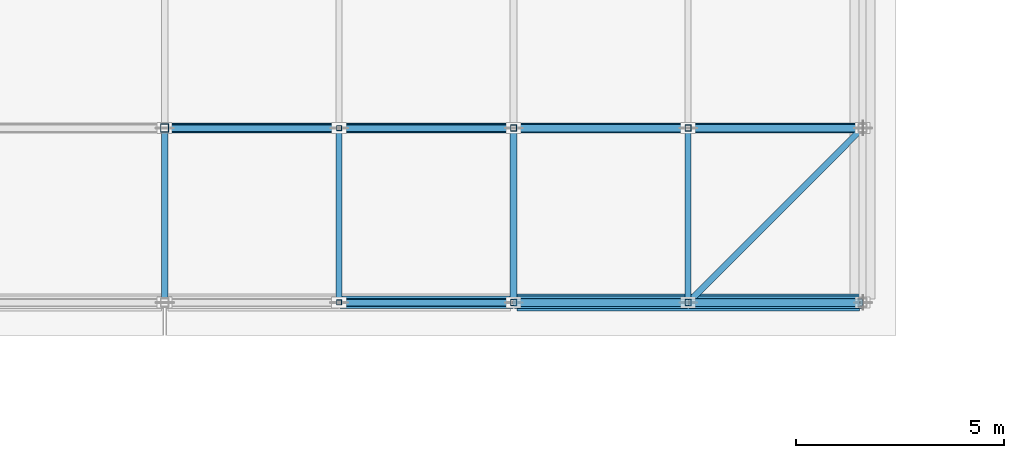
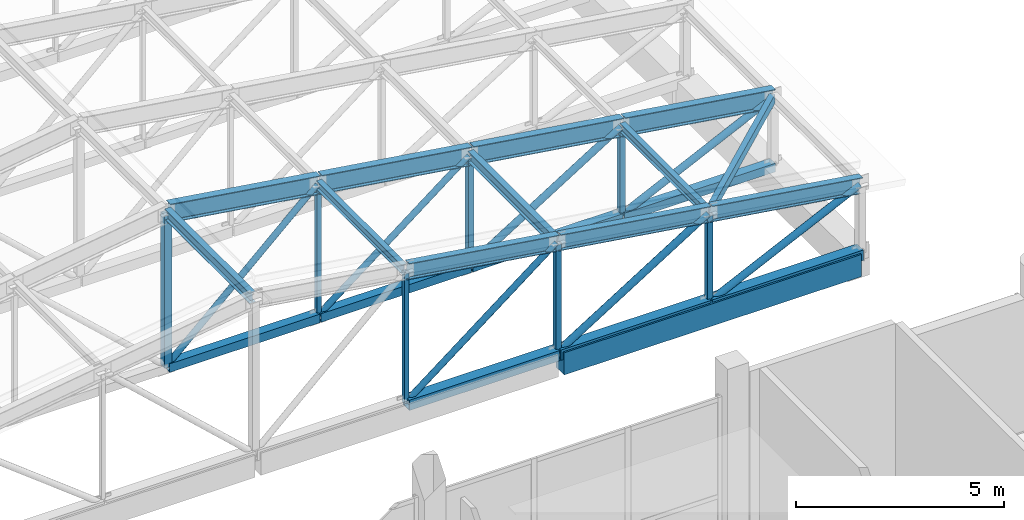
# One storey, part 27 of 122: 33 members, 1 beam.
"""IFC4 building model written with IfcOpenShell, lengths in metres."""

from ifc_helpers import new_model, si_unit, direction, frame, origin, origin_2d, place, context, subcontext, project, spatial, rectangle, hollow_rectangle, hollow_circle, i_section, extrude, material, material_profile, profile_set, type_object, element, save


model = new_model("IFC4")

# Units and contexts
model_context = context("Model", 3, precision=1e-05, world=origin(), true_north=direction((0.0, 1.0)))
body_context = subcontext(model_context, "Body", "Model", "MODEL_VIEW")
ifc_project = project(units=[si_unit("LENGTHUNIT", "METRE"), si_unit("AREAUNIT", "SQUARE_METRE"), si_unit("VOLUMEUNIT", "CUBIC_METRE"), si_unit("PLANEANGLEUNIT", "RADIAN"), si_unit("MASSUNIT", "GRAM", prefix="KILO")], contexts=[model_context])

# Site, building, storey
site_placement = place(None, origin())
site = spatial("IfcSite", under=ifc_project, at=site_placement, CompositionType="ELEMENT")
building_placement = place(site_placement, origin())
building = spatial("IfcBuilding", under=site, at=building_placement, Name="Telukmera Botanical Conservatory", CompositionType="ELEMENT")
storey_placement = place(building_placement, frame((0.0, 0.0, 10.199951171875)))
storey = spatial("IfcBuildingStorey", under=building, at=storey_placement, Name="L02", CompositionType="ELEMENT", Elevation=10.199951171875)

# Beam
ifc_material_1 = material(Name="Concrete C40/50", Category="concrete")
ifc_material_profile_1 = material_profile(ifc_material_1, rectangle(XDim=0.39990234375, YDim=0.64990234375, at=origin_2d()), Name="RC 400x650")
ifc_profile_set_1 = profile_set([ifc_material_profile_1], Name="Concrete C40/50")
beam_type = type_object("IfcBeamType", Name="Beam_B8", PredefinedType="BEAM", material=ifc_profile_set_1)
beam_placement = place(storey_placement, frame((33.679931640625, 83.199951171875, -0.324951171875), z_axis=(1.0, 0.0, 0.0), x_axis=(0.0, 1.0, 0.0)))
element("IfcBeam", 1, at=beam_placement, inside=storey, type_object=beam_type, Name="Auditorium Frame Beam beam:V2:L02:port_x:832:336", PredefinedType="BEAM", context=body_context, shape_type="SweptSolid", body=[
    extrude(rectangle(XDim=0.39990234375, YDim=0.64990234375, at=origin_2d()), origin(), (0.0, 0.0, 1.0), 8.239990234375),
])

# Members
ifc_material_2 = material(Name="Steel S355", Category="steel")
ifc_material_profile_2 = material_profile(ifc_material_2, i_section(OverallWidth=0.210693359375, OverallDepth=0.53955078125, WebThickness=0.01171875, FlangeThickness=0.018798828125, FilletRadius=0.0126953125, at=origin_2d()), Name="UB 533x210x109")
ifc_profile_set_2 = profile_set([ifc_material_profile_2], Name="Steel S355")
member_type_1 = type_object("IfcMemberType", Name="Mem_TC1", PredefinedType="CHORD", material=ifc_profile_set_2)
member_1_placement = place(storey_placement, frame((25.2197265625, 87.39990234375, 4.427734375), z_axis=(0.989022603236, 0.0, -0.147764306545), x_axis=(0.0, 1.0, 0.0)))
element("IfcMember", 2, at=member_1_placement, inside=storey, type_object=member_type_1, Name="Auditorium Pratt Truss Top Chord T2-5", PredefinedType="CHORD", context=body_context, shape_type="SweptSolid", body=[
    extrude(i_section(OverallWidth=0.210693359375, OverallDepth=0.53955078125, WebThickness=0.01171875, FlangeThickness=0.018798828125, FilletRadius=0.0126953125, at=origin_2d()), origin(), (0.0, 0.0, 1.0), 4.20654296875),
])
member_2_placement = place(storey_placement, frame((29.419921875, 87.39990234375, 3.800048828125), z_axis=(0.989021335912, 0.0, -0.147772788805), x_axis=(0.0, 1.0, 0.0)))
element("IfcMember", 3, at=member_2_placement, inside=storey, type_object=member_type_1, Name="Auditorium Pratt Truss Top Chord T2-6", PredefinedType="CHORD", context=body_context, shape_type="SweptSolid", body=[
    extrude(i_section(OverallWidth=0.210693359375, OverallDepth=0.53955078125, WebThickness=0.01171875, FlangeThickness=0.018798828125, FilletRadius=0.0126953125, at=origin_2d()), origin(), (0.0, 0.0, 1.0), 4.206298828125),
])
for number, where, z_axis, x_axis, name in (
    (4, (33.619873046875, 87.39990234375, 3.17236328125), (0.989022603236, 0.0, -0.147764306545), (0.0, 1.0, 0.0), "Auditorium Pratt Truss Top Chord T2-7"),
    (5, (37.81982421875, 87.39990234375, 2.544677734375), (0.989022603236, 0.0, -0.147764306545), (0.0, 1.0, 0.0), "Auditorium Pratt Truss Top Chord T2-8"),
):
    element("IfcMember", number, at=place(storey_placement, frame(where, z_axis=z_axis, x_axis=x_axis)), inside=storey, type_object=member_type_1, Name=name, PredefinedType="CHORD", context=body_context, shape_type="SweptSolid", body=[
        extrude(i_section(OverallWidth=0.210693359375, OverallDepth=0.53955078125, WebThickness=0.01171875, FlangeThickness=0.018798828125, FilletRadius=0.0126953125, at=origin_2d()), origin(), (0.0, 0.0, 1.0), 4.20654296875),
    ])
ifc_material_profile_3 = material_profile(ifc_material_2, hollow_rectangle(XDim=0.25, YDim=0.25, WallThickness=0.012451171875, at=origin_2d()), Name="SHS 250x250x12.5")
ifc_profile_set_3 = profile_set([ifc_material_profile_3], Name="Steel S355")
member_type_2 = type_object("IfcMemberType", Name="Mem_TC2", PredefinedType="CHORD", material=ifc_profile_set_3)
member_3_placement = place(storey_placement, frame((25.219970703125, 87.39990234375, -0.079833984375), z_axis=(1.0, 0.0, 0.0), x_axis=(0.0, 1.0, 0.0)))
element("IfcMember", 6, at=member_3_placement, inside=storey, type_object=member_type_2, Name="Auditorium Pratt Truss Bottom Chord T2-5", PredefinedType="CHORD", context=body_context, shape_type="SweptSolid", body=[
    extrude(hollow_rectangle(XDim=0.25, YDim=0.25, WallThickness=0.012451171875, at=origin_2d()), origin(), (0.0, 0.0, 1.0), 4.159912109375),
])
member_4_placement = place(storey_placement, frame((29.419921875, 87.39990234375, -0.079833984375), z_axis=(1.0, 0.0, 0.0), x_axis=(0.0, 1.0, 0.0)))
element("IfcMember", 7, at=member_4_placement, inside=storey, type_object=member_type_2, Name="Auditorium Pratt Truss Bottom Chord T2-6", PredefinedType="CHORD", context=body_context, shape_type="SweptSolid", body=[
    extrude(hollow_rectangle(XDim=0.25, YDim=0.25, WallThickness=0.012451171875, at=origin_2d()), origin(), (0.0, 0.0, 1.0), 4.16015625),
])
member_5_placement = place(storey_placement, frame((33.6201171875, 87.39990234375, -0.079833984375), z_axis=(1.0, 0.0, 0.0), x_axis=(0.0, 1.0, 0.0)))
element("IfcMember", 8, at=member_5_placement, inside=storey, type_object=member_type_2, Name="Auditorium Pratt Truss Bottom Chord T2-7", PredefinedType="CHORD", context=body_context, shape_type="SweptSolid", body=[
    extrude(hollow_rectangle(XDim=0.25, YDim=0.25, WallThickness=0.012451171875, at=origin_2d()), origin(), (0.0, 0.0, 1.0), 4.159912109375),
])
member_6_placement = place(storey_placement, frame((37.820068359375, 87.39990234375, -0.079833984375), z_axis=(1.0, 0.0, 0.0), x_axis=(0.0, 1.0, 0.0)))
element("IfcMember", 9, at=member_6_placement, inside=storey, type_object=member_type_2, Name="Auditorium Pratt Truss Bottom Chord T2-8", PredefinedType="CHORD", context=body_context, shape_type="SweptSolid", body=[
    extrude(hollow_rectangle(XDim=0.25, YDim=0.25, WallThickness=0.012451171875, at=origin_2d()), origin(), (0.0, 0.0, 1.0), 4.179931640625),
])
ifc_material_profile_4 = material_profile(ifc_material_2, hollow_rectangle(XDim=0.300048828125, YDim=0.300048828125, WallThickness=0.012451171875, at=origin_2d()), Name="SHS 300x300x12.5")
ifc_profile_set_4 = profile_set([ifc_material_profile_4], Name="Steel S355")
member_type_3 = type_object("IfcMemberType", Name="Mem_TC3", PredefinedType="CHORD", material=ifc_profile_set_4)
member_7_placement = place(storey_placement, frame((29.419921875, 83.199951171875, -0.079833984375), z_axis=(1.0, 0.0, 0.0), x_axis=(0.0, 1.0, 0.0)))
element("IfcMember", 10, at=member_7_placement, inside=storey, type_object=member_type_3, Name="Auditorium Pratt Truss Bottom Chord T1-6", PredefinedType="CHORD", context=body_context, shape_type="SweptSolid", body=[
    extrude(hollow_rectangle(XDim=0.300048828125, YDim=0.300048828125, WallThickness=0.012451171875, at=origin_2d()), origin(), (0.0, 0.0, 1.0), 4.16015625),
])
member_8_placement = place(storey_placement, frame((33.6201171875, 83.199951171875, -0.079833984375), z_axis=(1.0, 0.0, 0.0), x_axis=(0.0, 1.0, 0.0)))
element("IfcMember", 11, at=member_8_placement, inside=storey, type_object=member_type_3, Name="Auditorium Pratt Truss Bottom Chord T1-7", PredefinedType="CHORD", context=body_context, shape_type="SweptSolid", body=[
    extrude(hollow_rectangle(XDim=0.300048828125, YDim=0.300048828125, WallThickness=0.012451171875, at=origin_2d()), origin(), (0.0, 0.0, 1.0), 4.159912109375),
])
member_9_placement = place(storey_placement, frame((37.820068359375, 83.199951171875, -0.079833984375), z_axis=(1.0, 0.0, 0.0), x_axis=(0.0, 1.0, 0.0)))
element("IfcMember", 12, at=member_9_placement, inside=storey, type_object=member_type_3, Name="Auditorium Pratt Truss Bottom Chord T1-8", PredefinedType="CHORD", context=body_context, shape_type="SweptSolid", body=[
    extrude(hollow_rectangle(XDim=0.300048828125, YDim=0.300048828125, WallThickness=0.012451171875, at=origin_2d()), origin(), (0.0, 0.0, 1.0), 4.179931640625),
])
ifc_material_profile_5 = material_profile(ifc_material_2, i_section(OverallWidth=0.19140625, OverallDepth=0.4599609375, WebThickness=0.010009765625, FlangeThickness=0.01611328125, FilletRadius=0.01025390625, at=origin_2d()), Name="UB 457x191x82")
ifc_profile_set_5 = profile_set([ifc_material_profile_5], Name="Steel S355")
member_type_4 = type_object("IfcMemberType", Name="Mem_TC4", PredefinedType="CHORD", material=ifc_profile_set_5)
member_10_placement = place(storey_placement, frame((29.419921875, 83.199951171875, 3.800048828125), z_axis=(0.989021335912, 0.0, -0.147772788805), x_axis=(0.0, 1.0, 0.0)))
element("IfcMember", 13, at=member_10_placement, inside=storey, type_object=member_type_4, Name="Auditorium Pratt Truss Top Chord T1-6", PredefinedType="CHORD", context=body_context, shape_type="SweptSolid", body=[
    extrude(i_section(OverallWidth=0.19140625, OverallDepth=0.4599609375, WebThickness=0.010009765625, FlangeThickness=0.01611328125, FilletRadius=0.01025390625, at=origin_2d()), origin(), (0.0, 0.0, 1.0), 4.206298828125),
])
for number, where, z_axis, x_axis, name in (
    (14, (33.619873046875, 83.199951171875, 3.17236328125), (0.989022603236, 0.0, -0.147764306545), (0.0, 1.0, 0.0), "Auditorium Pratt Truss Top Chord T1-7"),
    (15, (37.81982421875, 83.199951171875, 2.544677734375), (0.989022603236, 0.0, -0.147764306545), (0.0, 1.0, 0.0), "Auditorium Pratt Truss Top Chord T1-8"),
):
    element("IfcMember", number, at=place(storey_placement, frame(where, z_axis=z_axis, x_axis=x_axis)), inside=storey, type_object=member_type_4, Name=name, PredefinedType="CHORD", context=body_context, shape_type="SweptSolid", body=[
        extrude(i_section(OverallWidth=0.19140625, OverallDepth=0.4599609375, WebThickness=0.010009765625, FlangeThickness=0.01611328125, FilletRadius=0.01025390625, at=origin_2d()), origin(), (0.0, 0.0, 1.0), 4.20654296875),
    ])
ifc_material_profile_6 = material_profile(ifc_material_2, hollow_circle(Radius=0.096923828125, WallThickness=0.008056640625, at=origin_2d()), Name="CHS 193.7x8.0")
ifc_profile_set_6 = profile_set([ifc_material_profile_6], Name="Steel S355")
member_type_5 = type_object("IfcMemberType", Name="Mem_TD1", PredefinedType="BRACE", material=ifc_profile_set_6)
member_11_placement = place(storey_placement, frame((33.62548828125, 83.199951171875, -0.06396484375), z_axis=(0.84777122797, 0.0, 0.530362088601), x_axis=(0.0, 1.0, 0.0)))
element("IfcMember", 16, at=member_11_placement, inside=storey, type_object=member_type_5, Name="Auditorium Pratt Truss Web Diagonal T1-D7", PredefinedType="BRACE", context=body_context, shape_type="SweptSolid", body=[
    extrude(hollow_circle(Radius=0.096923828125, WallThickness=0.008056640625, at=origin_2d()), origin(), (0.0, 0.0, 1.0), 4.894287109375),
])
member_12_placement = place(storey_placement, frame((37.8271484375, 83.199951171875, -0.067138671875), z_axis=(0.902843811044, 0.0, 0.429968664973), x_axis=(0.0, 1.0, 0.0)))
element("IfcMember", 17, at=member_12_placement, inside=storey, type_object=member_type_5, Name="Auditorium Pratt Truss Web Diagonal T1-D8", PredefinedType="BRACE", context=body_context, shape_type="SweptSolid", body=[
    extrude(hollow_circle(Radius=0.096923828125, WallThickness=0.008056640625, at=origin_2d()), origin(), (0.0, 0.0, 1.0), 4.591796875),
])
member_13_placement = place(storey_placement, frame((33.62548828125, 87.39990234375, -0.06396484375), z_axis=(0.84777122797, 0.0, 0.530362088601), x_axis=(0.0, 1.0, 0.0)))
element("IfcMember", 18, at=member_13_placement, inside=storey, type_object=member_type_5, Name="Auditorium Pratt Truss Web Diagonal T2-D7", PredefinedType="BRACE", context=body_context, shape_type="SweptSolid", body=[
    extrude(hollow_circle(Radius=0.096923828125, WallThickness=0.008056640625, at=origin_2d()), origin(), (0.0, 0.0, 1.0), 4.894287109375),
])
member_14_placement = place(storey_placement, frame((37.8271484375, 87.39990234375, -0.067138671875), z_axis=(0.902843811044, 0.0, 0.429968664973), x_axis=(0.0, 1.0, 0.0)))
element("IfcMember", 19, at=member_14_placement, inside=storey, type_object=member_type_5, Name="Auditorium Pratt Truss Web Diagonal T2-D8", PredefinedType="BRACE", context=body_context, shape_type="SweptSolid", body=[
    extrude(hollow_circle(Radius=0.096923828125, WallThickness=0.008056640625, at=origin_2d()), origin(), (0.0, 0.0, 1.0), 4.591796875),
])
ifc_material_profile_7 = material_profile(ifc_material_2, hollow_circle(Radius=0.084228515625, WallThickness=0.008056640625, at=origin_2d()), Name="CHS 168.3x8.0")
ifc_profile_set_7 = profile_set([ifc_material_profile_7], Name="Steel S355")
member_type_6 = type_object("IfcMemberType", Name="Mem_TD2", PredefinedType="BRACE", material=ifc_profile_set_7)
member_15_placement = place(storey_placement, frame((29.423583984375, 83.199951171875, -0.0615234375), z_axis=(0.790409427435, 0.0, 0.612578923097), x_axis=(0.0, 1.0, 0.0)))
element("IfcMember", 20, at=member_15_placement, inside=storey, type_object=member_type_6, Name="Auditorium Pratt Truss Web Diagonal T1-D6", PredefinedType="BRACE", context=body_context, shape_type="SweptSolid", body=[
    extrude(hollow_circle(Radius=0.084228515625, WallThickness=0.008056640625, at=origin_2d()), origin(), (0.0, 0.0, 1.0), 5.25390625),
])
member_16_placement = place(storey_placement, frame((25.221923828125, 87.39990234375, -0.0595703125), z_axis=(0.734277342079, 0.0, 0.678849604044), x_axis=(0.0, 1.0, 0.0)))
element("IfcMember", 21, at=member_16_placement, inside=storey, type_object=member_type_6, Name="Auditorium Pratt Truss Web Diagonal T2-D5", PredefinedType="BRACE", context=body_context, shape_type="SweptSolid", body=[
    extrude(hollow_circle(Radius=0.084228515625, WallThickness=0.008056640625, at=origin_2d()), origin(), (0.0, 0.0, 1.0), 5.659912109375),
])
member_17_placement = place(storey_placement, frame((29.423583984375, 87.39990234375, -0.0615234375), z_axis=(0.790409427435, 0.0, 0.612578923097), x_axis=(0.0, 1.0, 0.0)))
element("IfcMember", 22, at=member_17_placement, inside=storey, type_object=member_type_6, Name="Auditorium Pratt Truss Web Diagonal T2-D6", PredefinedType="BRACE", context=body_context, shape_type="SweptSolid", body=[
    extrude(hollow_circle(Radius=0.084228515625, WallThickness=0.008056640625, at=origin_2d()), origin(), (0.0, 0.0, 1.0), 5.25390625),
])
ifc_material_profile_8 = material_profile(ifc_material_2, hollow_rectangle(XDim=0.14990234375, YDim=0.25, WallThickness=0.008056640625, at=origin_2d()), Name="RHS 250x150x8.0")
ifc_profile_set_8 = profile_set([ifc_material_profile_8], Name="Steel S355")
member_type_7 = type_object("IfcMemberType", Name="Mem_TD4", PredefinedType="BRACE", material=ifc_profile_set_8)
member_18_placement = place(storey_placement, frame((37.85009765625, 83.25, 2.5478515625), z_axis=(0.702978611461, 0.703020472868, -0.107625677965), x_axis=(-0.707127833863, 0.707085727883, 0.0)))
element("IfcMember", 23, at=member_18_placement, inside=storey, type_object=member_type_7, Name="Auditorium Roof Plane Wind Brace RB1-7", PredefinedType="BRACE", context=body_context, shape_type="SweptSolid", body=[
    extrude(hollow_rectangle(XDim=0.14990234375, YDim=0.25, WallThickness=0.008056640625, at=origin_2d()), origin(), (0.0, 0.0, 1.0), 5.83203125),
])
ifc_material_profile_9 = material_profile(ifc_material_2, i_section(OverallWidth=0.165771484375, OverallDepth=0.306640625, WebThickness=0.006591796875, FlangeThickness=0.01171875, FilletRadius=0.0087890625, at=origin_2d()), Name="UB 305x165x46")
ifc_profile_set_9 = profile_set([ifc_material_profile_9], Name="Steel S355")
member_type_8 = type_object("IfcMemberType", Name="Mem_TPB1", PredefinedType="PURLIN", material=ifc_profile_set_9)
for number, where, z_axis, x_axis, name in (
    (24, (25.199951171875, 83.260009765625, 4.430908203125), (0.0, 1.0, 0.0), (-1.0, 0.0, 0.0), "Auditorium Roof Steel Purlin P1-4"),
    (25, (33.60009765625, 83.260009765625, 3.175537109375), (0.0, 1.0, 0.0), (-1.0, 0.0, 0.0), "Auditorium Roof Steel Purlin P1-6"),
):
    element("IfcMember", number, at=place(storey_placement, frame(where, z_axis=z_axis, x_axis=x_axis)), inside=storey, type_object=member_type_8, Name=name, PredefinedType="PURLIN", context=body_context, shape_type="SweptSolid", body=[
        extrude(i_section(OverallWidth=0.165771484375, OverallDepth=0.306640625, WebThickness=0.006591796875, FlangeThickness=0.01171875, FilletRadius=0.0087890625, at=origin_2d()), origin(), (0.0, 0.0, 1.0), 4.080078125),
    ])
ifc_material_profile_10 = material_profile(ifc_material_2, i_section(OverallWidth=0.146484375, OverallDepth=0.256103515625, WebThickness=0.00634765625, FlangeThickness=0.010986328125, FilletRadius=0.007568359375, at=origin_2d()), Name="UB 254x146x37")
ifc_profile_set_10 = profile_set([ifc_material_profile_10], Name="Steel S355")
member_type_9 = type_object("IfcMemberType", Name="Mem_TPB2", PredefinedType="PURLIN", material=ifc_profile_set_10)
for number, where, z_axis, x_axis, name in (
    (26, (29.39990234375, 83.260009765625, 3.80322265625), (0.0, 1.0, 0.0), (-1.0, 0.0, 0.0), "Auditorium Roof Steel Purlin P1-5"),
    (27, (37.800048828125, 83.260009765625, 2.5478515625), (0.0, 1.0, 0.0), (-1.0, 0.0, 0.0), "Auditorium Roof Steel Purlin P1-7"),
):
    element("IfcMember", number, at=place(storey_placement, frame(where, z_axis=z_axis, x_axis=x_axis)), inside=storey, type_object=member_type_9, Name=name, PredefinedType="PURLIN", context=body_context, shape_type="SweptSolid", body=[
        extrude(i_section(OverallWidth=0.146484375, OverallDepth=0.256103515625, WebThickness=0.00634765625, FlangeThickness=0.010986328125, FilletRadius=0.007568359375, at=origin_2d()), origin(), (0.0, 0.0, 1.0), 4.080078125),
    ])
ifc_material_profile_11 = material_profile(ifc_material_2, hollow_rectangle(XDim=0.199951171875, YDim=0.199951171875, WallThickness=0.010009765625, at=origin_2d()), Name="SHS 200x200x10.0")
ifc_profile_set_11 = profile_set([ifc_material_profile_11], Name="Steel S355")
member_type_10 = type_object("IfcMemberType", Name="Mem_TV1", PredefinedType="POST", material=ifc_profile_set_11)
member_19_placement = place(storey_placement, frame((25.199951171875, 87.39990234375, -0.06005859375), z_axis=(0.0, 0.0, 1.0), x_axis=(1.0, 0.0, 0.0)))
element("IfcMember", 28, at=member_19_placement, inside=storey, type_object=member_type_10, Name="Auditorium Pratt Truss Vertical T2-V4", PredefinedType="POST", context=body_context, shape_type="SweptSolid", body=[
    extrude(hollow_rectangle(XDim=0.199951171875, YDim=0.199951171875, WallThickness=0.010009765625, at=origin_2d()), origin(), (0.0, 0.0, 1.0), 4.470947265625),
])
ifc_material_profile_12 = material_profile(ifc_material_2, hollow_rectangle(XDim=0.14990234375, YDim=0.14990234375, WallThickness=0.008056640625, at=origin_2d()), Name="SHS 150x150x8.0")
ifc_profile_set_12 = profile_set([ifc_material_profile_12], Name="Steel S355")
member_type_11 = type_object("IfcMemberType", Name="Mem_TV2", PredefinedType="POST", material=ifc_profile_set_12)
member_20_placement = place(storey_placement, frame((33.60009765625, 83.199951171875, -0.06005859375), z_axis=(0.0, 0.0, 1.0), x_axis=(1.0, 0.0, 0.0)))
element("IfcMember", 29, at=member_20_placement, inside=storey, type_object=member_type_11, Name="Auditorium Pratt Truss Vertical T1-V6", PredefinedType="POST", context=body_context, shape_type="SweptSolid", body=[
    extrude(hollow_rectangle(XDim=0.14990234375, YDim=0.14990234375, WallThickness=0.008056640625, at=origin_2d()), origin(), (0.0, 0.0, 1.0), 3.215576171875),
])
member_21_placement = place(storey_placement, frame((37.800048828125, 83.199951171875, -0.06005859375), z_axis=(0.0, 0.0, 1.0), x_axis=(1.0, 0.0, 0.0)))
element("IfcMember", 30, at=member_21_placement, inside=storey, type_object=member_type_11, Name="Auditorium Pratt Truss Vertical T1-V7", PredefinedType="POST", context=body_context, shape_type="SweptSolid", body=[
    extrude(hollow_rectangle(XDim=0.14990234375, YDim=0.14990234375, WallThickness=0.008056640625, at=origin_2d()), origin(), (0.0, 0.0, 1.0), 2.587890625),
])
member_22_placement = place(storey_placement, frame((33.60009765625, 87.39990234375, -0.06005859375), z_axis=(0.0, 0.0, 1.0), x_axis=(1.0, 0.0, 0.0)))
element("IfcMember", 31, at=member_22_placement, inside=storey, type_object=member_type_11, Name="Auditorium Pratt Truss Vertical T2-V6", PredefinedType="POST", context=body_context, shape_type="SweptSolid", body=[
    extrude(hollow_rectangle(XDim=0.14990234375, YDim=0.14990234375, WallThickness=0.008056640625, at=origin_2d()), origin(), (0.0, 0.0, 1.0), 3.215576171875),
])
member_23_placement = place(storey_placement, frame((37.800048828125, 87.39990234375, -0.06005859375), z_axis=(0.0, 0.0, 1.0), x_axis=(1.0, 0.0, 0.0)))
element("IfcMember", 32, at=member_23_placement, inside=storey, type_object=member_type_11, Name="Auditorium Pratt Truss Vertical T2-V7", PredefinedType="POST", context=body_context, shape_type="SweptSolid", body=[
    extrude(hollow_rectangle(XDim=0.14990234375, YDim=0.14990234375, WallThickness=0.008056640625, at=origin_2d()), origin(), (0.0, 0.0, 1.0), 2.587890625),
])
ifc_material_profile_13 = material_profile(ifc_material_2, hollow_rectangle(XDim=0.1201171875, YDim=0.1201171875, WallThickness=0.00634765625, at=origin_2d()), Name="SHS 120x120x6.3")
ifc_profile_set_13 = profile_set([ifc_material_profile_13], Name="Steel S355")
member_type_12 = type_object("IfcMemberType", Name="Mem_TV3", PredefinedType="POST", material=ifc_profile_set_13)
for number, where, z_axis, x_axis, name in (
    (33, (29.39990234375, 83.199951171875, -0.06005859375), (0.0, 0.0, 1.0), (1.0, 0.0, 0.0), "Auditorium Pratt Truss Vertical T1-V5"),
    (34, (29.39990234375, 87.39990234375, -0.06005859375), (0.0, 0.0, 1.0), (1.0, 0.0, 0.0), "Auditorium Pratt Truss Vertical T2-V5"),
):
    element("IfcMember", number, at=place(storey_placement, frame(where, z_axis=z_axis, x_axis=x_axis)), inside=storey, type_object=member_type_12, Name=name, PredefinedType="POST", context=body_context, shape_type="SweptSolid", body=[
        extrude(hollow_rectangle(XDim=0.1201171875, YDim=0.1201171875, WallThickness=0.00634765625, at=origin_2d()), origin(), (0.0, 0.0, 1.0), 3.84326171875),
    ])

save(model, "model.ifc")
